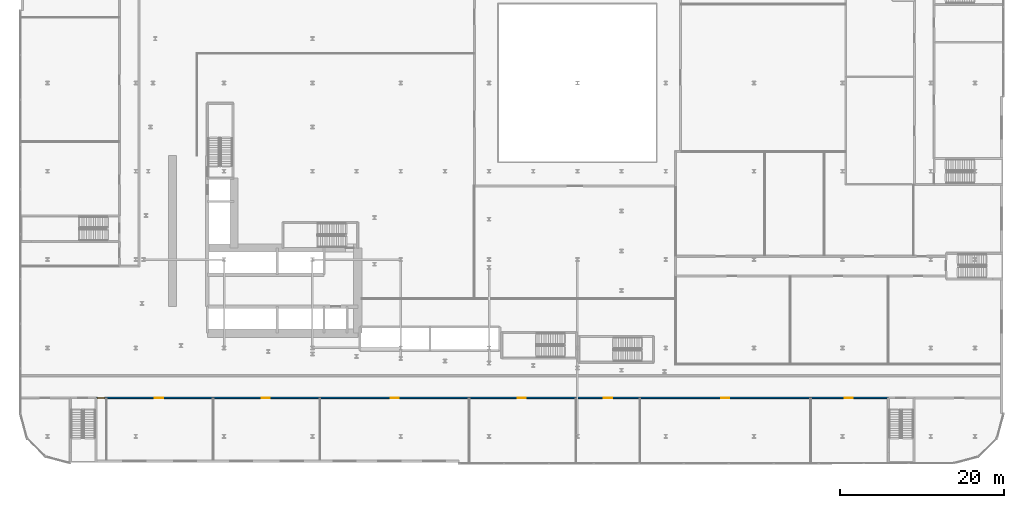
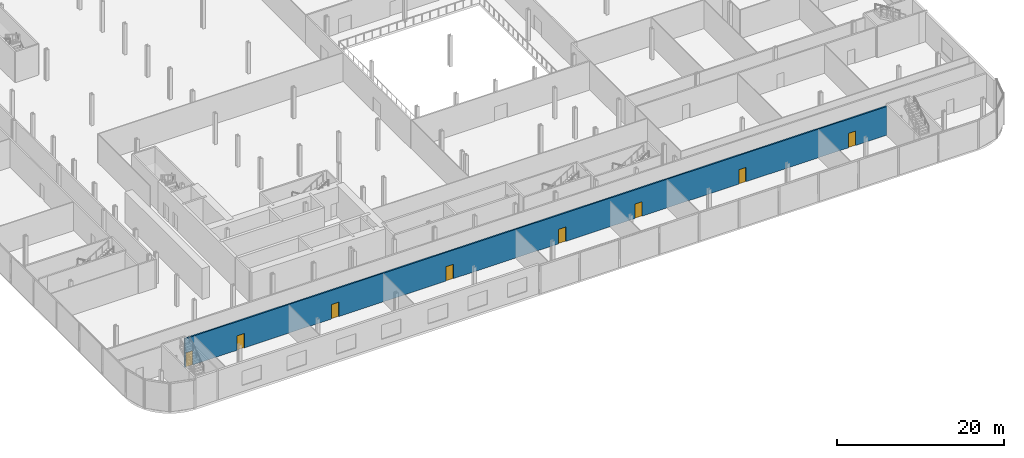
# One storey, part 27 of 47: 8 doors, 1 wall, 8 openings.
"""IFC4 building model written with IfcOpenShell, lengths in metres."""

from ifc_helpers import new_model, si_unit, direction, frame, frame_2d, origin, place, context, subcontext, project, spatial, rectangle, extrude, source, transform, mapped, material, layer, layer_set, type_object, element, fill, save


model = new_model("IFC4")

# Units and contexts
model_context = context("Model", 3, precision=1e-05, world=origin(), true_north=direction((0.0, 1.0)))
body_context = subcontext(model_context, "Body", "Model", "MODEL_VIEW")
ifc_project = project(units=[si_unit("LENGTHUNIT", "METRE"), si_unit("AREAUNIT", "SQUARE_METRE"), si_unit("VOLUMEUNIT", "CUBIC_METRE"), si_unit("PLANEANGLEUNIT", "RADIAN"), si_unit("MASSUNIT", "GRAM", prefix="KILO")], contexts=[model_context])

# Site, building, storey
site_placement = place(None, origin())
site = spatial("IfcSite", under=ifc_project, at=site_placement, CompositionType="ELEMENT")
building_placement = place(site_placement, origin())
building = spatial("IfcBuilding", under=site, at=building_placement, Name="Kheshtan School and Residences Tower", CompositionType="ELEMENT")
storey_placement = place(building_placement, frame((0.0, 0.0, 17.0)))
storey = spatial("IfcBuildingStorey", under=building, at=storey_placement, Name="L03", CompositionType="ELEMENT", Elevation=17.0)

# Wall, openings, doors
ifc_material_1 = material(Name="Gypsum board on steel studs with fire boards", Category="steel")
ifc_layer = layer(ifc_material_1, 0.199951171875)
ifc_layer_set = layer_set([ifc_layer], Name="Corridor wall 200")
wall_type = type_object("IfcWallType", Name="Corridor wall 200", PredefinedType="PARTITIONING", material=ifc_layer_set)
wall_placement = place(storey_placement, frame((21.14990234375, 17.89990234375, 0.0), z_axis=(0.0, 0.0, 1.0), x_axis=(1.0, 0.0, 0.0)))
wall = element("IfcWall", 1, at=wall_placement, inside=storey, type_object=wall_type, Name="Partition L03-008", PredefinedType="PARTITIONING", context=body_context, shape_type="SweptSolid", body=[
    extrude(rectangle(XDim=96.85009765625, YDim=0.199951171875, at=frame_2d((48.425048828125, 0.0))), origin(), (0.0, 0.0, 1.0), 4.179931640625),
])
opening_1_placement = place(wall_placement, frame((0.14990234375, 0.0, 0.0)))
opening_1 = element("IfcOpeningElement", 2, at=opening_1_placement, cuts=wall, Name="Opening D03-035", PredefinedType="OPENING", context=body_context, shape_type="SweptSolid", body=[
    extrude(rectangle(XDim=0.89990234375, YDim=2.10009765625, at=frame_2d((0.449951171875, 1.050048828125))), frame((0.0, 0.10986328125, 0.0), z_axis=(0.0, -1.0, 0.0), x_axis=(1.0, 0.0, 0.0)), (0.0, 0.0, 1.0), 0.219970703125),
])
opening_2_placement = place(wall_placement, frame((7.18505859375, 0.0, 0.0)))
opening_2 = element("IfcOpeningElement", 3, at=opening_2_placement, cuts=wall, Name="Opening D03-036", PredefinedType="OPENING", context=body_context, shape_type="SweptSolid", body=[
    extrude(rectangle(XDim=1.0, YDim=2.10009765625, at=frame_2d((0.5, 1.050048828125))), frame((0.0, 0.10986328125, 0.0), z_axis=(0.0, -1.0, 0.0), x_axis=(1.0, 0.0, 0.0)), (0.0, 0.0, 1.0), 0.219970703125),
])
opening_3_placement = place(wall_placement, frame((20.22802734375, 0.0, 0.0)))
opening_3 = element("IfcOpeningElement", 4, at=opening_3_placement, cuts=wall, Name="Opening D03-037", PredefinedType="OPENING", context=body_context, shape_type="SweptSolid", body=[
    extrude(rectangle(XDim=1.0, YDim=2.10009765625, at=frame_2d((0.5, 1.050048828125))), frame((0.0, 0.10986328125, 0.0), z_axis=(0.0, -1.0, 0.0), x_axis=(1.0, 0.0, 0.0)), (0.0, 0.0, 1.0), 0.219970703125),
])
opening_4_placement = place(wall_placement, frame((36.02197265625, 0.0, 0.0)))
opening_4 = element("IfcOpeningElement", 5, at=opening_4_placement, cuts=wall, Name="Opening D03-038", PredefinedType="OPENING", context=body_context, shape_type="SweptSolid", body=[
    extrude(rectangle(XDim=1.0, YDim=2.10009765625, at=frame_2d((0.5, 1.050048828125))), frame((0.0, 0.10986328125, 0.0), z_axis=(0.0, -1.0, 0.0), x_axis=(1.0, 0.0, 0.0)), (0.0, 0.0, 1.0), 0.219970703125),
])
opening_5_placement = place(wall_placement, frame((51.532958984375, 0.0, 0.0)))
opening_5 = element("IfcOpeningElement", 6, at=opening_5_placement, cuts=wall, Name="Opening D03-039", PredefinedType="OPENING", context=body_context, shape_type="SweptSolid", body=[
    extrude(rectangle(XDim=1.0, YDim=2.10009765625, at=frame_2d((0.5, 1.050048828125))), frame((0.0, 0.10986328125, 0.0), z_axis=(0.0, -1.0, 0.0), x_axis=(1.0, 0.0, 0.0)), (0.0, 0.0, 1.0), 0.219970703125),
])
opening_6_placement = place(wall_placement, frame((62.075927734375, 0.0, 0.0)))
opening_6 = element("IfcOpeningElement", 7, at=opening_6_placement, cuts=wall, Name="Opening D03-040", PredefinedType="OPENING", context=body_context, shape_type="SweptSolid", body=[
    extrude(rectangle(XDim=1.0, YDim=2.10009765625, at=frame_2d((0.5, 1.050048828125))), frame((0.0, 0.10986328125, 0.0), z_axis=(0.0, -1.0, 0.0), x_axis=(1.0, 0.0, 0.0)), (0.0, 0.0, 1.0), 0.219970703125),
])
opening_7_placement = place(wall_placement, frame((76.402099609375, 0.0, 0.0)))
opening_7 = element("IfcOpeningElement", 8, at=opening_7_placement, cuts=wall, Name="Opening D03-041", PredefinedType="OPENING", context=body_context, shape_type="SweptSolid", body=[
    extrude(rectangle(XDim=1.0, YDim=2.10009765625, at=frame_2d((0.5, 1.050048828125))), frame((0.0, 0.10986328125, 0.0), z_axis=(0.0, -1.0, 0.0), x_axis=(1.0, 0.0, 0.0)), (0.0, 0.0, 1.0), 0.219970703125),
])
opening_8_placement = place(wall_placement, frame((91.52197265625, 0.0, 0.0)))
opening_8 = element("IfcOpeningElement", 9, at=opening_8_placement, cuts=wall, Name="Opening D03-042", PredefinedType="OPENING", context=body_context, shape_type="SweptSolid", body=[
    extrude(rectangle(XDim=1.0, YDim=2.10009765625, at=frame_2d((0.5, 1.050048828125))), frame((0.0, 0.10986328125, 0.0), z_axis=(0.0, -1.0, 0.0), x_axis=(1.0, 0.0, 0.0)), (0.0, 0.0, 1.0), 0.219970703125),
])
ifc_material_2 = material(Name="Steel-framed fire-resisting door leaf", Category="steel")
door_type_1 = type_object("IfcDoorType", Name="Fire door FD60 1000 x 2100", OperationType="SINGLE_SWING_LEFT", PredefinedType="DOOR", material=ifc_material_2)
shared_shape_1 = source(origin(), body_context, "Body", "SweptSolid", [
    extrude(rectangle(XDim=1.0, YDim=2.10009765625, at=frame_2d((0.5, 1.050048828125))), frame((0.0, 0.02490234375, 0.0), z_axis=(0.0, -1.0, 0.0), x_axis=(1.0, 0.0, 0.0)), (0.0, 0.0, 1.0), 0.050048828125),
])
door_1_placement = place(opening_2_placement, origin())
door_1 = element("IfcDoor", 10, at=door_1_placement, inside=storey, type_object=door_type_1, Name="Door D03-036", OperationType="SINGLE_SWING_LEFT", OverallHeight=2.10009765625, OverallWidth=1.0, PredefinedType="DOOR", context=body_context, shape_type="MappedRepresentation", body=[
    mapped(shared_shape_1, transform((0.0, 0.0, 0.0), x_axis=(1.0, 0.0, 0.0), y_axis=(0.0, 1.0, 0.0), z_axis=(0.0, 0.0, 1.0), scale=1.0)),
])
fill(opening_2, door_1)
door_2_placement = place(opening_3_placement, origin())
door_2 = element("IfcDoor", 11, at=door_2_placement, inside=storey, type_object=door_type_1, Name="Door D03-037", OperationType="SINGLE_SWING_LEFT", OverallHeight=2.10009765625, OverallWidth=1.0, PredefinedType="DOOR", context=body_context, shape_type="MappedRepresentation", body=[
    mapped(shared_shape_1, transform((0.0, 0.0, 0.0), x_axis=(1.0, 0.0, 0.0), y_axis=(0.0, 1.0, 0.0), z_axis=(0.0, 0.0, 1.0), scale=1.0)),
])
fill(opening_3, door_2)
door_3_placement = place(opening_4_placement, origin())
door_3 = element("IfcDoor", 12, at=door_3_placement, inside=storey, type_object=door_type_1, Name="Door D03-038", OperationType="SINGLE_SWING_LEFT", OverallHeight=2.10009765625, OverallWidth=1.0, PredefinedType="DOOR", context=body_context, shape_type="MappedRepresentation", body=[
    mapped(shared_shape_1, transform((0.0, 0.0, 0.0), x_axis=(1.0, 0.0, 0.0), y_axis=(0.0, 1.0, 0.0), z_axis=(0.0, 0.0, 1.0), scale=1.0)),
])
fill(opening_4, door_3)
door_4_placement = place(opening_5_placement, origin())
door_4 = element("IfcDoor", 13, at=door_4_placement, inside=storey, type_object=door_type_1, Name="Door D03-039", OperationType="SINGLE_SWING_RIGHT", OverallHeight=2.10009765625, OverallWidth=1.0, PredefinedType="DOOR", context=body_context, shape_type="MappedRepresentation", body=[
    mapped(shared_shape_1, transform((0.0, 0.0, 0.0), x_axis=(1.0, 0.0, 0.0), y_axis=(0.0, 1.0, 0.0), z_axis=(0.0, 0.0, 1.0), scale=1.0)),
])
fill(opening_5, door_4)
door_5_placement = place(opening_6_placement, origin())
door_5 = element("IfcDoor", 14, at=door_5_placement, inside=storey, type_object=door_type_1, Name="Door D03-040", OperationType="SINGLE_SWING_RIGHT", OverallHeight=2.10009765625, OverallWidth=1.0, PredefinedType="DOOR", context=body_context, shape_type="MappedRepresentation", body=[
    mapped(shared_shape_1, transform((0.0, 0.0, 0.0), x_axis=(1.0, 0.0, 0.0), y_axis=(0.0, 1.0, 0.0), z_axis=(0.0, 0.0, 1.0), scale=1.0)),
])
fill(opening_6, door_5)
door_6_placement = place(opening_7_placement, origin())
door_6 = element("IfcDoor", 15, at=door_6_placement, inside=storey, type_object=door_type_1, Name="Door D03-041", OperationType="SINGLE_SWING_LEFT", OverallHeight=2.10009765625, OverallWidth=1.0, PredefinedType="DOOR", context=body_context, shape_type="MappedRepresentation", body=[
    mapped(shared_shape_1, transform((0.0, 0.0, 0.0), x_axis=(1.0, 0.0, 0.0), y_axis=(0.0, 1.0, 0.0), z_axis=(0.0, 0.0, 1.0), scale=1.0)),
])
fill(opening_7, door_6)
door_7_placement = place(opening_8_placement, origin())
door_7 = element("IfcDoor", 16, at=door_7_placement, inside=storey, type_object=door_type_1, Name="Door D03-042", OperationType="SINGLE_SWING_RIGHT", OverallHeight=2.10009765625, OverallWidth=1.0, PredefinedType="DOOR", context=body_context, shape_type="MappedRepresentation", body=[
    mapped(shared_shape_1, transform((0.0, 0.0, 0.0), x_axis=(1.0, 0.0, 0.0), y_axis=(0.0, 1.0, 0.0), z_axis=(0.0, 0.0, 1.0), scale=1.0)),
])
fill(opening_8, door_7)
door_type_2 = type_object("IfcDoorType", Name="Fire door FD60 900 x 2100", OperationType="SINGLE_SWING_LEFT", PredefinedType="DOOR", material=ifc_material_2)
shared_shape_2 = source(origin(), body_context, "Body", "SweptSolid", [
    extrude(rectangle(XDim=0.89990234375, YDim=2.10009765625, at=frame_2d((0.449951171875, 1.050048828125))), frame((0.0, 0.02490234375, 0.0), z_axis=(0.0, -1.0, 0.0), x_axis=(1.0, 0.0, 0.0)), (0.0, 0.0, 1.0), 0.050048828125),
])
door_8_placement = place(opening_1_placement, origin())
door_8 = element("IfcDoor", 17, at=door_8_placement, inside=storey, type_object=door_type_2, Name="Door D03-035", OperationType="SINGLE_SWING_RIGHT", OverallHeight=2.10009765625, OverallWidth=0.89990234375, PredefinedType="DOOR", context=body_context, shape_type="MappedRepresentation", body=[
    mapped(shared_shape_2, transform((0.0, 0.0, 0.0), x_axis=(1.0, 0.0, 0.0), y_axis=(0.0, 1.0, 0.0), z_axis=(0.0, 0.0, 1.0), scale=1.0)),
])
fill(opening_1, door_8)

save(model, "model.ifc")
